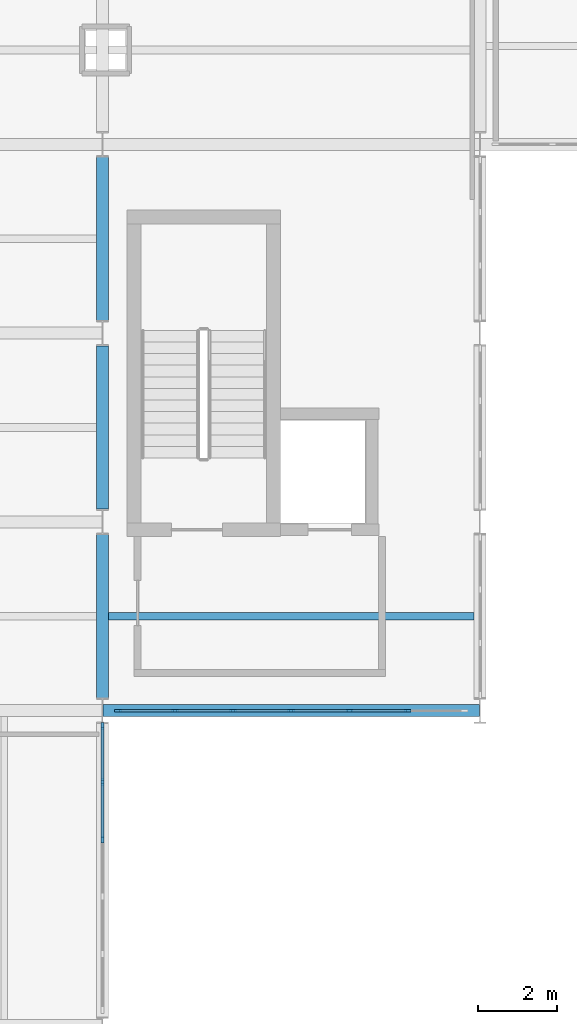
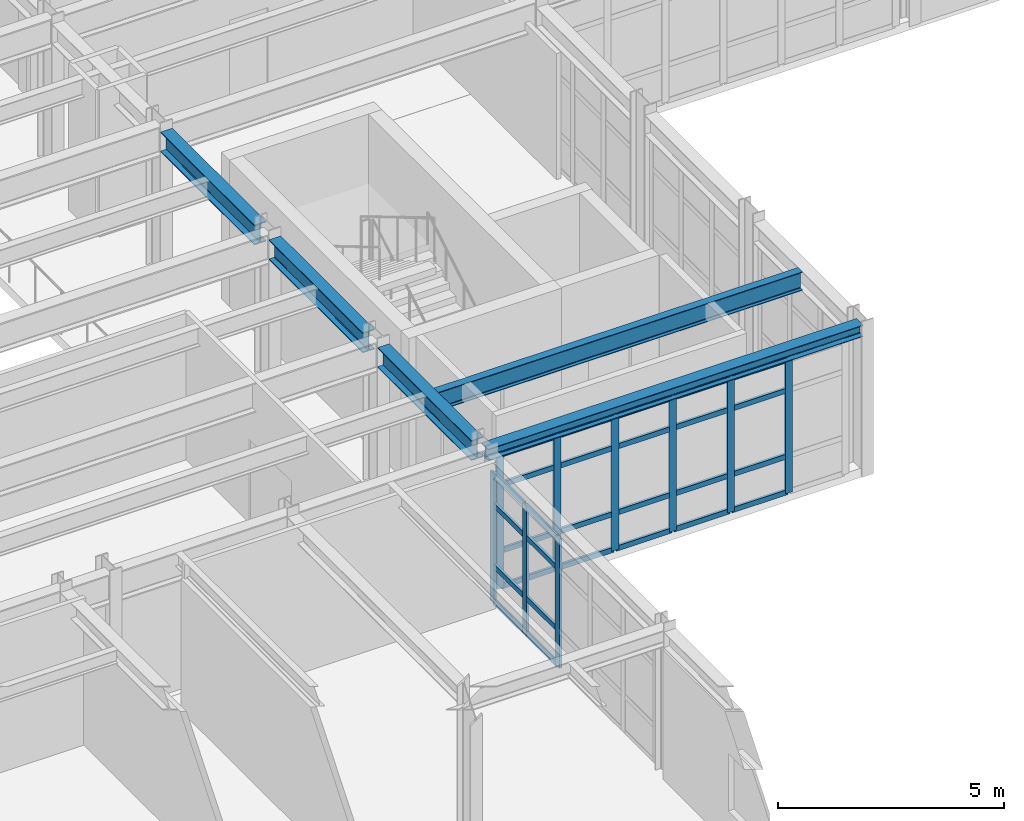
# One storey, part 39 of 99: 37 members, 5 beams, 2 elements without a shape of their own.
"""IFC4 building model written with IfcOpenShell, lengths in metres."""

from ifc_helpers import new_model, si_unit, direction, frame, origin, origin_2d, place, context, subcontext, project, spatial, rectangle, i_section, extrude, material, layer, layer_set, material_profile, profile_set, type_object, element, aggregate, save


model = new_model("IFC4")

# Units and contexts
model_context = context("Model", 3, precision=1e-05, world=origin(), true_north=direction((0.0, 1.0)))
body_context = subcontext(model_context, "Body", "Model", "MODEL_VIEW")
ifc_project = project(units=[si_unit("LENGTHUNIT", "METRE"), si_unit("AREAUNIT", "SQUARE_METRE"), si_unit("VOLUMEUNIT", "CUBIC_METRE"), si_unit("PLANEANGLEUNIT", "RADIAN"), si_unit("MASSUNIT", "GRAM", prefix="KILO")], contexts=[model_context])

# Site, building, storey
site_placement = place(None, origin())
site = spatial("IfcSite", under=ifc_project, at=site_placement, CompositionType="ELEMENT")
building_placement = place(site_placement, origin())
building = spatial("IfcBuilding", under=site, at=building_placement, Name="Nordkorset Police Headquarters", CompositionType="ELEMENT")
storey_placement = place(building_placement, frame((0.0, 0.0, 5.25)))
storey = spatial("IfcBuildingStorey", under=building, at=storey_placement, Name="L01", CompositionType="ELEMENT", Elevation=5.25)

# Beam
ifc_material_1 = material(Name="Steel S355J2", Category="steel")
ifc_material_profile_1 = material_profile(ifc_material_1, i_section(OverallWidth=0.199951171875, OverallDepth=0.5, WebThickness=0.01025390625, FlangeThickness=0.01611328125, FilletRadius=0.02099609375, at=origin_2d()), Name="IPE 500")
ifc_profile_set_1 = profile_set([ifc_material_profile_1], Name="Steel S355J2")
beam_type_1 = type_object("IfcBeamType", Name="Beam_IPE_500", PredefinedType="BEAM", material=ifc_profile_set_1)
beam_1_placement = place(storey_placement, frame((19.35009765625, 85.60009765625, 3.7099609375), z_axis=(1.0, 0.0, 0.0), x_axis=(0.0, 1.0, 0.0)))
element("IfcBeam", 1, at=beam_1_placement, inside=storey, type_object=beam_type_1, Name="Composite Floor Beam V1 L01 1-0-1", PredefinedType="BEAM", context=body_context, shape_type="SweptSolid", body=[
    extrude(i_section(OverallWidth=0.199951171875, OverallDepth=0.5, WebThickness=0.01025390625, FlangeThickness=0.01611328125, FilletRadius=0.02099609375, at=origin_2d()), origin(), (0.0, 0.0, 1.0), 9.2998046875),
])

# Curtain wall, members
ifc_material_2 = material(Name="Aluminium alloy AW-6060", Category="aluminium")
ifc_layer_1 = layer(ifc_material_2, 0.179931640625, Name="Aluminium alloy AW-6060")
ifc_layer_set_1 = layer_set([ifc_layer_1], Name="Aluminium alloy AW-6060")
curtain_wall_type_1 = type_object("IfcCurtainWallType", Name="CW_Unit_888x363", PredefinedType="USERDEFINED", material=ifc_layer_set_1)
curtain_wall_1_placement = place(storey_placement, origin())
curtain_wall_1 = element("IfcCurtainWall", 2, at=curtain_wall_1_placement, inside=storey, type_object=curtain_wall_type_1, Name="Unitised Curtain Wall L01 V1S-2", ObjectType="UNITISED CURTAIN WALL", PredefinedType="USERDEFINED")
ifc_material_3 = material(Name="Aluminium alloy AW-6060", Category="aluminium")
ifc_material_profile_2 = material_profile(ifc_material_3, rectangle(XDim=0.06494140625, YDim=0.179931640625, at=origin_2d()), Name="ALU MULL 65x180")
ifc_profile_set_2 = profile_set([ifc_material_profile_2], Name="Aluminium alloy AW-6060")
member_type_1 = type_object("IfcMemberType", Name="CW_Mullion_65x180", PredefinedType="MULLION", material=ifc_profile_set_2)
member_1_placement = place(storey_placement, frame((19.592529296875, 83.199951171875, 0.0), z_axis=(0.0, 0.0, 1.0), x_axis=(0.0, 1.0, 0.0)))
member_1 = element("IfcMember", 3, at=member_1_placement, type_object=member_type_1, Name="CW-07 mullion 1", PredefinedType="MULLION", context=body_context, shape_type="SweptSolid", body=[
    extrude(rectangle(XDim=0.06494140625, YDim=0.179931640625, at=origin_2d()), origin(), (0.0, 0.0, 1.0), 3.6298828125),
])
member_2_placement = place(storey_placement, frame((21.0400390625, 83.199951171875, 0.0), z_axis=(0.0, 0.0, 1.0), x_axis=(0.0, 1.0, 0.0)))
member_2 = element("IfcMember", 4, at=member_2_placement, type_object=member_type_1, Name="CW-07 mullion 2", PredefinedType="MULLION", context=body_context, shape_type="SweptSolid", body=[
    extrude(rectangle(XDim=0.06494140625, YDim=0.179931640625, at=origin_2d()), origin(), (0.0, 0.0, 1.0), 3.6298828125),
])
member_3_placement = place(storey_placement, frame((22.52001953125, 83.199951171875, 0.0), z_axis=(0.0, 0.0, 1.0), x_axis=(0.0, 1.0, 0.0)))
member_3 = element("IfcMember", 5, at=member_3_placement, type_object=member_type_1, Name="CW-07 mullion 3", PredefinedType="MULLION", context=body_context, shape_type="SweptSolid", body=[
    extrude(rectangle(XDim=0.06494140625, YDim=0.179931640625, at=origin_2d()), origin(), (0.0, 0.0, 1.0), 3.6298828125),
])
member_4_placement = place(storey_placement, frame((24.0, 83.199951171875, 0.0), z_axis=(0.0, 0.0, 1.0), x_axis=(0.0, 1.0, 0.0)))
member_4 = element("IfcMember", 6, at=member_4_placement, type_object=member_type_1, Name="CW-07 mullion 4", PredefinedType="MULLION", context=body_context, shape_type="SweptSolid", body=[
    extrude(rectangle(XDim=0.06494140625, YDim=0.179931640625, at=origin_2d()), origin(), (0.0, 0.0, 1.0), 3.6298828125),
])
member_5_placement = place(storey_placement, frame((25.47998046875, 83.199951171875, 0.0), z_axis=(0.0, 0.0, 1.0), x_axis=(0.0, 1.0, 0.0)))
member_5 = element("IfcMember", 7, at=member_5_placement, type_object=member_type_1, Name="CW-07 mullion 5", PredefinedType="MULLION", context=body_context, shape_type="SweptSolid", body=[
    extrude(rectangle(XDim=0.06494140625, YDim=0.179931640625, at=origin_2d()), origin(), (0.0, 0.0, 1.0), 3.6298828125),
])
member_6_placement = place(storey_placement, frame((26.9599609375, 83.199951171875, 0.0), z_axis=(0.0, 0.0, 1.0), x_axis=(0.0, 1.0, 0.0)))
member_6 = element("IfcMember", 8, at=member_6_placement, type_object=member_type_1, Name="CW-07 mullion 6", PredefinedType="MULLION", context=body_context, shape_type="SweptSolid", body=[
    extrude(rectangle(XDim=0.06494140625, YDim=0.179931640625, at=origin_2d()), origin(), (0.0, 0.0, 1.0), 3.6298828125),
])

ifc_material_4 = material(Name="Aluminium alloy AW-6060", Category="aluminium")
ifc_layer_2 = layer(ifc_material_4, 0.179931640625, Name="Aluminium alloy AW-6060")
ifc_layer_set_2 = layer_set([ifc_layer_2], Name="Aluminium alloy AW-6060")
curtain_wall_type_2 = type_object("IfcCurtainWallType", Name="CW_Unit_728x350", PredefinedType="USERDEFINED", material=ifc_layer_set_2)
curtain_wall_2_placement = place(storey_placement, origin())
curtain_wall_2 = element("IfcCurtainWall", 9, at=curtain_wall_2_placement, inside=storey, type_object=curtain_wall_type_2, Name="Unitised Curtain Wall L01 V3E-5", ObjectType="UNITISED CURTAIN WALL", PredefinedType="USERDEFINED")
member_7_placement = place(storey_placement, frame((19.199951171875, 79.927978515625, 0.0), z_axis=(0.0, 0.0, 1.0), x_axis=(-1.0, 0.0, 0.0)))
member_7 = element("IfcMember", 10, at=member_7_placement, type_object=member_type_1, Name="CW-70 mullion 4", PredefinedType="MULLION", context=body_context, shape_type="SweptSolid", body=[
    extrude(rectangle(XDim=0.06494140625, YDim=0.179931640625, at=origin_2d()), origin(), (0.0, 0.0, 1.0), 3.5),
])
member_8_placement = place(storey_placement, frame((19.199951171875, 81.384033203125, 0.0), z_axis=(0.0, 0.0, 1.0), x_axis=(-1.0, 0.0, 0.0)))
member_8 = element("IfcMember", 11, at=member_8_placement, type_object=member_type_1, Name="CW-70 mullion 5", PredefinedType="MULLION", context=body_context, shape_type="SweptSolid", body=[
    extrude(rectangle(XDim=0.06494140625, YDim=0.179931640625, at=origin_2d()), origin(), (0.0, 0.0, 1.0), 3.5),
])
member_9_placement = place(storey_placement, frame((19.199951171875, 82.8076171875, 0.0), z_axis=(0.0, 0.0, 1.0), x_axis=(-1.0, 0.0, 0.0)))
member_9 = element("IfcMember", 12, at=member_9_placement, type_object=member_type_1, Name="CW-70 mullion 6", PredefinedType="MULLION", context=body_context, shape_type="SweptSolid", body=[
    extrude(rectangle(XDim=0.06494140625, YDim=0.179931640625, at=origin_2d()), origin(), (0.0, 0.0, 1.0), 3.5),
])

# Member
ifc_material_5 = material(Name="Aluminium alloy AW-6060", Category="aluminium")
ifc_material_profile_3 = material_profile(ifc_material_5, rectangle(XDim=0.06494140625, YDim=0.139892578125, at=origin_2d()), Name="ALU TRAN 65x140")
ifc_profile_set_3 = profile_set([ifc_material_profile_3], Name="Aluminium alloy AW-6060")
member_type_2 = type_object("IfcMemberType", Name="CW_Transom_65x140", PredefinedType="USERDEFINED", material=ifc_profile_set_3)
member_10_placement = place(storey_placement, frame((19.625, 83.199951171875, 0.032470703125), z_axis=(1.0, 0.0, 0.0), x_axis=(0.0, 1.0, 0.0)))
member_10 = element("IfcMember", 13, at=member_10_placement, type_object=member_type_2, Name="CW-07 transom 1.1", ObjectType="TRANSOM", PredefinedType="USERDEFINED", context=body_context, shape_type="SweptSolid", body=[
    extrude(rectangle(XDim=0.06494140625, YDim=0.139892578125, at=origin_2d()), origin(), (0.0, 0.0, 1.0), 1.382568359375),
])

member_11_placement = place(storey_placement, frame((19.625, 83.199951171875, 1.0), z_axis=(1.0, 0.0, 0.0), x_axis=(0.0, 1.0, 0.0)))
member_11 = element("IfcMember", 14, at=member_11_placement, type_object=member_type_2, Name="CW-07 transom 1.2", ObjectType="TRANSOM", PredefinedType="USERDEFINED", context=body_context, shape_type="SweptSolid", body=[
    extrude(rectangle(XDim=0.06494140625, YDim=0.139892578125, at=origin_2d()), origin(), (0.0, 0.0, 1.0), 1.382568359375),
])

member_12_placement = place(storey_placement, frame((19.625, 83.199951171875, 2.780029296875), z_axis=(1.0, 0.0, 0.0), x_axis=(0.0, 1.0, 0.0)))
member_12 = element("IfcMember", 15, at=member_12_placement, type_object=member_type_2, Name="CW-07 transom 1.3", ObjectType="TRANSOM", PredefinedType="USERDEFINED", context=body_context, shape_type="SweptSolid", body=[
    extrude(rectangle(XDim=0.06494140625, YDim=0.139892578125, at=origin_2d()), origin(), (0.0, 0.0, 1.0), 1.382568359375),
])

member_13_placement = place(storey_placement, frame((19.625, 83.199951171875, 3.597412109375), z_axis=(1.0, 0.0, 0.0), x_axis=(0.0, 1.0, 0.0)))
member_13 = element("IfcMember", 16, at=member_13_placement, type_object=member_type_2, Name="CW-07 transom 1.4", ObjectType="TRANSOM", PredefinedType="USERDEFINED", context=body_context, shape_type="SweptSolid", body=[
    extrude(rectangle(XDim=0.06494140625, YDim=0.139892578125, at=origin_2d()), origin(), (0.0, 0.0, 1.0), 1.382568359375),
])

member_14_placement = place(storey_placement, frame((21.072509765625, 83.199951171875, 0.032470703125), z_axis=(1.0, 0.0, 0.0), x_axis=(0.0, 1.0, 0.0)))
member_14 = element("IfcMember", 17, at=member_14_placement, type_object=member_type_2, Name="CW-07 transom 2.1", ObjectType="TRANSOM", PredefinedType="USERDEFINED", context=body_context, shape_type="SweptSolid", body=[
    extrude(rectangle(XDim=0.06494140625, YDim=0.139892578125, at=origin_2d()), origin(), (0.0, 0.0, 1.0), 1.4150390625),
])

member_15_placement = place(storey_placement, frame((21.072509765625, 83.199951171875, 1.0), z_axis=(1.0, 0.0, 0.0), x_axis=(0.0, 1.0, 0.0)))
member_15 = element("IfcMember", 18, at=member_15_placement, type_object=member_type_2, Name="CW-07 transom 2.2", ObjectType="TRANSOM", PredefinedType="USERDEFINED", context=body_context, shape_type="SweptSolid", body=[
    extrude(rectangle(XDim=0.06494140625, YDim=0.139892578125, at=origin_2d()), origin(), (0.0, 0.0, 1.0), 1.4150390625),
])

member_16_placement = place(storey_placement, frame((21.072509765625, 83.199951171875, 2.780029296875), z_axis=(1.0, 0.0, 0.0), x_axis=(0.0, 1.0, 0.0)))
member_16 = element("IfcMember", 19, at=member_16_placement, type_object=member_type_2, Name="CW-07 transom 2.3", ObjectType="TRANSOM", PredefinedType="USERDEFINED", context=body_context, shape_type="SweptSolid", body=[
    extrude(rectangle(XDim=0.06494140625, YDim=0.139892578125, at=origin_2d()), origin(), (0.0, 0.0, 1.0), 1.4150390625),
])

member_17_placement = place(storey_placement, frame((21.072509765625, 83.199951171875, 3.597412109375), z_axis=(1.0, 0.0, 0.0), x_axis=(0.0, 1.0, 0.0)))
member_17 = element("IfcMember", 20, at=member_17_placement, type_object=member_type_2, Name="CW-07 transom 2.4", ObjectType="TRANSOM", PredefinedType="USERDEFINED", context=body_context, shape_type="SweptSolid", body=[
    extrude(rectangle(XDim=0.06494140625, YDim=0.139892578125, at=origin_2d()), origin(), (0.0, 0.0, 1.0), 1.4150390625),
])

member_18_placement = place(storey_placement, frame((22.552490234375, 83.199951171875, 0.032470703125), z_axis=(1.0, 0.0, 0.0), x_axis=(0.0, 1.0, 0.0)))
member_18 = element("IfcMember", 21, at=member_18_placement, type_object=member_type_2, Name="CW-07 transom 3.1", ObjectType="TRANSOM", PredefinedType="USERDEFINED", context=body_context, shape_type="SweptSolid", body=[
    extrude(rectangle(XDim=0.06494140625, YDim=0.139892578125, at=origin_2d()), origin(), (0.0, 0.0, 1.0), 1.4150390625),
])

member_19_placement = place(storey_placement, frame((22.552490234375, 83.199951171875, 1.0), z_axis=(1.0, 0.0, 0.0), x_axis=(0.0, 1.0, 0.0)))
member_19 = element("IfcMember", 22, at=member_19_placement, type_object=member_type_2, Name="CW-07 transom 3.2", ObjectType="TRANSOM", PredefinedType="USERDEFINED", context=body_context, shape_type="SweptSolid", body=[
    extrude(rectangle(XDim=0.06494140625, YDim=0.139892578125, at=origin_2d()), origin(), (0.0, 0.0, 1.0), 1.4150390625),
])

member_20_placement = place(storey_placement, frame((22.552490234375, 83.199951171875, 2.780029296875), z_axis=(1.0, 0.0, 0.0), x_axis=(0.0, 1.0, 0.0)))
member_20 = element("IfcMember", 23, at=member_20_placement, type_object=member_type_2, Name="CW-07 transom 3.3", ObjectType="TRANSOM", PredefinedType="USERDEFINED", context=body_context, shape_type="SweptSolid", body=[
    extrude(rectangle(XDim=0.06494140625, YDim=0.139892578125, at=origin_2d()), origin(), (0.0, 0.0, 1.0), 1.4150390625),
])

member_21_placement = place(storey_placement, frame((22.552490234375, 83.199951171875, 3.597412109375), z_axis=(1.0, 0.0, 0.0), x_axis=(0.0, 1.0, 0.0)))
member_21 = element("IfcMember", 24, at=member_21_placement, type_object=member_type_2, Name="CW-07 transom 3.4", ObjectType="TRANSOM", PredefinedType="USERDEFINED", context=body_context, shape_type="SweptSolid", body=[
    extrude(rectangle(XDim=0.06494140625, YDim=0.139892578125, at=origin_2d()), origin(), (0.0, 0.0, 1.0), 1.4150390625),
])

member_22_placement = place(storey_placement, frame((24.032470703125, 83.199951171875, 0.032470703125), z_axis=(1.0, 0.0, 0.0), x_axis=(0.0, 1.0, 0.0)))
member_22 = element("IfcMember", 25, at=member_22_placement, type_object=member_type_2, Name="CW-07 transom 4.1", ObjectType="TRANSOM", PredefinedType="USERDEFINED", context=body_context, shape_type="SweptSolid", body=[
    extrude(rectangle(XDim=0.06494140625, YDim=0.139892578125, at=origin_2d()), origin(), (0.0, 0.0, 1.0), 1.4150390625),
])

member_23_placement = place(storey_placement, frame((24.032470703125, 83.199951171875, 1.0), z_axis=(1.0, 0.0, 0.0), x_axis=(0.0, 1.0, 0.0)))
member_23 = element("IfcMember", 26, at=member_23_placement, type_object=member_type_2, Name="CW-07 transom 4.2", ObjectType="TRANSOM", PredefinedType="USERDEFINED", context=body_context, shape_type="SweptSolid", body=[
    extrude(rectangle(XDim=0.06494140625, YDim=0.139892578125, at=origin_2d()), origin(), (0.0, 0.0, 1.0), 1.4150390625),
])

member_24_placement = place(storey_placement, frame((24.032470703125, 83.199951171875, 2.780029296875), z_axis=(1.0, 0.0, 0.0), x_axis=(0.0, 1.0, 0.0)))
member_24 = element("IfcMember", 27, at=member_24_placement, type_object=member_type_2, Name="CW-07 transom 4.3", ObjectType="TRANSOM", PredefinedType="USERDEFINED", context=body_context, shape_type="SweptSolid", body=[
    extrude(rectangle(XDim=0.06494140625, YDim=0.139892578125, at=origin_2d()), origin(), (0.0, 0.0, 1.0), 1.4150390625),
])

member_25_placement = place(storey_placement, frame((24.032470703125, 83.199951171875, 3.597412109375), z_axis=(1.0, 0.0, 0.0), x_axis=(0.0, 1.0, 0.0)))
member_25 = element("IfcMember", 28, at=member_25_placement, type_object=member_type_2, Name="CW-07 transom 4.4", ObjectType="TRANSOM", PredefinedType="USERDEFINED", context=body_context, shape_type="SweptSolid", body=[
    extrude(rectangle(XDim=0.06494140625, YDim=0.139892578125, at=origin_2d()), origin(), (0.0, 0.0, 1.0), 1.4150390625),
])

member_26_placement = place(storey_placement, frame((25.512451171875, 83.199951171875, 0.032470703125), z_axis=(1.0, 0.0, 0.0), x_axis=(0.0, 1.0, 0.0)))
member_26 = element("IfcMember", 29, at=member_26_placement, type_object=member_type_2, Name="CW-07 transom 5.1", ObjectType="TRANSOM", PredefinedType="USERDEFINED", context=body_context, shape_type="SweptSolid", body=[
    extrude(rectangle(XDim=0.06494140625, YDim=0.139892578125, at=origin_2d()), origin(), (0.0, 0.0, 1.0), 1.4150390625),
])

member_27_placement = place(storey_placement, frame((25.512451171875, 83.199951171875, 1.0), z_axis=(1.0, 0.0, 0.0), x_axis=(0.0, 1.0, 0.0)))
member_27 = element("IfcMember", 30, at=member_27_placement, type_object=member_type_2, Name="CW-07 transom 5.2", ObjectType="TRANSOM", PredefinedType="USERDEFINED", context=body_context, shape_type="SweptSolid", body=[
    extrude(rectangle(XDim=0.06494140625, YDim=0.139892578125, at=origin_2d()), origin(), (0.0, 0.0, 1.0), 1.4150390625),
])

member_28_placement = place(storey_placement, frame((25.512451171875, 83.199951171875, 2.780029296875), z_axis=(1.0, 0.0, 0.0), x_axis=(0.0, 1.0, 0.0)))
member_28 = element("IfcMember", 31, at=member_28_placement, type_object=member_type_2, Name="CW-07 transom 5.3", ObjectType="TRANSOM", PredefinedType="USERDEFINED", context=body_context, shape_type="SweptSolid", body=[
    extrude(rectangle(XDim=0.06494140625, YDim=0.139892578125, at=origin_2d()), origin(), (0.0, 0.0, 1.0), 1.4150390625),
])

member_29_placement = place(storey_placement, frame((25.512451171875, 83.199951171875, 3.597412109375), z_axis=(1.0, 0.0, 0.0), x_axis=(0.0, 1.0, 0.0)))
member_29 = element("IfcMember", 32, at=member_29_placement, type_object=member_type_2, Name="CW-07 transom 5.4", ObjectType="TRANSOM", PredefinedType="USERDEFINED", context=body_context, shape_type="SweptSolid", body=[
    extrude(rectangle(XDim=0.06494140625, YDim=0.139892578125, at=origin_2d()), origin(), (0.0, 0.0, 1.0), 1.4150390625),
])

aggregate(curtain_wall_1, [member_1, member_2, member_3, member_4, member_5, member_6, member_10, member_11, member_12, member_13, member_14, member_15, member_16, member_17, member_18, member_19, member_20, member_21, member_22, member_23, member_24, member_25, member_26, member_27, member_28, member_29])

member_30_placement = place(storey_placement, frame((19.199951171875, 79.96044921875, 0.032470703125), z_axis=(0.0, 1.0, 0.0), x_axis=(-1.0, 0.0, 0.0)))
member_30 = element("IfcMember", 33, at=member_30_placement, type_object=member_type_2, Name="CW-70 transom 4.1", ObjectType="TRANSOM", PredefinedType="USERDEFINED", context=body_context, shape_type="SweptSolid", body=[
    extrude(rectangle(XDim=0.06494140625, YDim=0.139892578125, at=origin_2d()), origin(), (0.0, 0.0, 1.0), 1.39111328125),
])

member_31_placement = place(storey_placement, frame((19.199951171875, 79.96044921875, 1.0), z_axis=(0.0, 1.0, 0.0), x_axis=(-1.0, 0.0, 0.0)))
member_31 = element("IfcMember", 34, at=member_31_placement, type_object=member_type_2, Name="CW-70 transom 4.2", ObjectType="TRANSOM", PredefinedType="USERDEFINED", context=body_context, shape_type="SweptSolid", body=[
    extrude(rectangle(XDim=0.06494140625, YDim=0.139892578125, at=origin_2d()), origin(), (0.0, 0.0, 1.0), 1.39111328125),
])

member_32_placement = place(storey_placement, frame((19.199951171875, 79.96044921875, 2.64990234375), z_axis=(0.0, 1.0, 0.0), x_axis=(-1.0, 0.0, 0.0)))
member_32 = element("IfcMember", 35, at=member_32_placement, type_object=member_type_2, Name="CW-70 transom 4.3", ObjectType="TRANSOM", PredefinedType="USERDEFINED", context=body_context, shape_type="SweptSolid", body=[
    extrude(rectangle(XDim=0.06494140625, YDim=0.139892578125, at=origin_2d()), origin(), (0.0, 0.0, 1.0), 1.39111328125),
])

member_33_placement = place(storey_placement, frame((19.199951171875, 79.96044921875, 3.467529296875), z_axis=(0.0, 1.0, 0.0), x_axis=(-1.0, 0.0, 0.0)))
member_33 = element("IfcMember", 36, at=member_33_placement, type_object=member_type_2, Name="CW-70 transom 4.4", ObjectType="TRANSOM", PredefinedType="USERDEFINED", context=body_context, shape_type="SweptSolid", body=[
    extrude(rectangle(XDim=0.06494140625, YDim=0.139892578125, at=origin_2d()), origin(), (0.0, 0.0, 1.0), 1.39111328125),
])

member_34_placement = place(storey_placement, frame((19.199951171875, 81.41650390625, 0.032470703125), z_axis=(0.0, 1.0, 0.0), x_axis=(-1.0, 0.0, 0.0)))
member_34 = element("IfcMember", 37, at=member_34_placement, type_object=member_type_2, Name="CW-70 transom 5.1", ObjectType="TRANSOM", PredefinedType="USERDEFINED", context=body_context, shape_type="SweptSolid", body=[
    extrude(rectangle(XDim=0.06494140625, YDim=0.139892578125, at=origin_2d()), origin(), (0.0, 0.0, 1.0), 1.3583984375),
])

member_35_placement = place(storey_placement, frame((19.199951171875, 81.41650390625, 1.0), z_axis=(0.0, 1.0, 0.0), x_axis=(-1.0, 0.0, 0.0)))
member_35 = element("IfcMember", 38, at=member_35_placement, type_object=member_type_2, Name="CW-70 transom 5.2", ObjectType="TRANSOM", PredefinedType="USERDEFINED", context=body_context, shape_type="SweptSolid", body=[
    extrude(rectangle(XDim=0.06494140625, YDim=0.139892578125, at=origin_2d()), origin(), (0.0, 0.0, 1.0), 1.3583984375),
])

member_36_placement = place(storey_placement, frame((19.199951171875, 81.41650390625, 2.64990234375), z_axis=(0.0, 1.0, 0.0), x_axis=(-1.0, 0.0, 0.0)))
member_36 = element("IfcMember", 39, at=member_36_placement, type_object=member_type_2, Name="CW-70 transom 5.3", ObjectType="TRANSOM", PredefinedType="USERDEFINED", context=body_context, shape_type="SweptSolid", body=[
    extrude(rectangle(XDim=0.06494140625, YDim=0.139892578125, at=origin_2d()), origin(), (0.0, 0.0, 1.0), 1.3583984375),
])

member_37_placement = place(storey_placement, frame((19.199951171875, 81.41650390625, 3.467529296875), z_axis=(0.0, 1.0, 0.0), x_axis=(-1.0, 0.0, 0.0)))
member_37 = element("IfcMember", 40, at=member_37_placement, type_object=member_type_2, Name="CW-70 transom 5.4", ObjectType="TRANSOM", PredefinedType="USERDEFINED", context=body_context, shape_type="SweptSolid", body=[
    extrude(rectangle(XDim=0.06494140625, YDim=0.139892578125, at=origin_2d()), origin(), (0.0, 0.0, 1.0), 1.3583984375),
])

aggregate(curtain_wall_2, [member_7, member_8, member_9, member_30, member_31, member_32, member_33, member_34, member_35, member_36, member_37])

# Beams
ifc_material_6 = material(Name="Steel S355J2", Category="steel")
ifc_material_profile_4 = material_profile(ifc_material_6, i_section(OverallWidth=0.300048828125, OverallDepth=0.5400390625, WebThickness=0.012451171875, FlangeThickness=0.02392578125, FilletRadius=0.027099609375, at=origin_2d()), Name="HEA 550")
ifc_profile_set_4 = profile_set([ifc_material_profile_4], Name="Steel S355J2")
beam_type_2 = type_object("IfcBeamType", Name="Girder_HEA_550", PredefinedType="USERDEFINED", material=ifc_profile_set_4)
for number, where, z_axis, x_axis, name in (
    (41, (19.199951171875, 83.52490234375, 3.68994140625), (0.0, 1.0, 0.0), (-1.0, 0.0, 0.0), "Girder V1 L01 GY-1-0"),
    (42, (19.199951171875, 88.324951171875, 3.68994140625), (0.0, 1.0, 0.0), (-1.0, 0.0, 0.0), "Girder V1 L01 GY-1-1"),
):
    element("IfcBeam", number, at=place(storey_placement, frame(where, z_axis=z_axis, x_axis=x_axis)), inside=storey, type_object=beam_type_2, Name=name, ObjectType="GIRDER", PredefinedType="USERDEFINED", context=body_context, shape_type="SweptSolid", body=[
        extrude(i_section(OverallWidth=0.300048828125, OverallDepth=0.5400390625, WebThickness=0.012451171875, FlangeThickness=0.02392578125, FilletRadius=0.027099609375, at=origin_2d()), origin(), (0.0, 0.0, 1.0), 4.150146484375),
    ])
beam_2_placement = place(storey_placement, frame((19.199951171875, 93.125, 3.68994140625), z_axis=(0.0, 1.0, 0.0), x_axis=(-1.0, 0.0, 0.0)))
element("IfcBeam", 43, at=beam_2_placement, inside=storey, type_object=beam_type_2, Name="Girder V1 L01 GY-1-2", ObjectType="GIRDER", PredefinedType="USERDEFINED", context=body_context, shape_type="SweptSolid", body=[
    extrude(i_section(OverallWidth=0.300048828125, OverallDepth=0.5400390625, WebThickness=0.012451171875, FlangeThickness=0.02392578125, FilletRadius=0.027099609375, at=origin_2d()), origin(), (0.0, 0.0, 1.0), 4.14990234375),
])
ifc_material_7 = material(Name="Steel S355J2", Category="steel")
ifc_material_profile_5 = material_profile(ifc_material_7, i_section(OverallWidth=0.300048828125, OverallDepth=0.31005859375, WebThickness=0.009033203125, FlangeThickness=0.015380859375, FilletRadius=0.027099609375, at=origin_2d()), Name="HEA 320")
ifc_profile_set_5 = profile_set([ifc_material_profile_5], Name="Steel S355J2")
beam_type_3 = type_object("IfcBeamType", Name="Spandrel_HEA_320", PredefinedType="SPANDREL", material=ifc_profile_set_5)
beam_3_placement = place(storey_placement, frame((19.2080078125, 83.199951171875, 3.804931640625), z_axis=(1.0, 0.0, 0.0), x_axis=(0.0, 1.0, 0.0)))
element("IfcBeam", 44, at=beam_3_placement, inside=storey, type_object=beam_type_3, Name="Girder V1 L01 GX-0-1", PredefinedType="SPANDREL", context=body_context, shape_type="SweptSolid", body=[
    extrude(i_section(OverallWidth=0.300048828125, OverallDepth=0.31005859375, WebThickness=0.009033203125, FlangeThickness=0.015380859375, FilletRadius=0.027099609375, at=origin_2d()), origin(), (0.0, 0.0, 1.0), 9.583984375),
])

save(model, "model.ifc")
